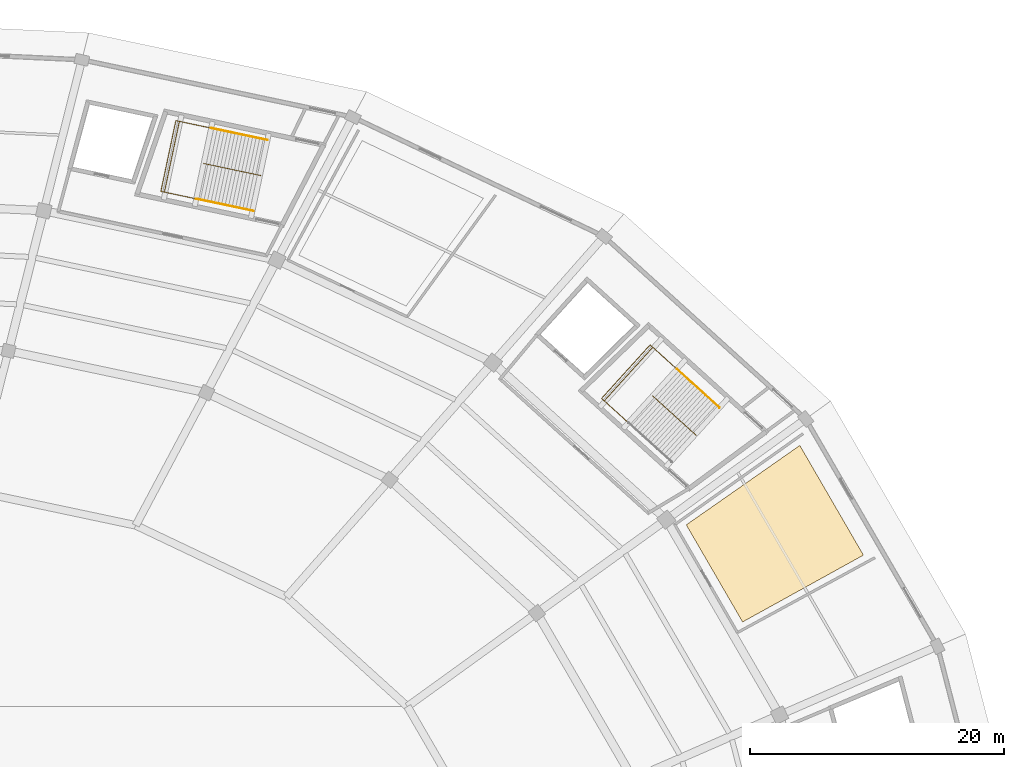
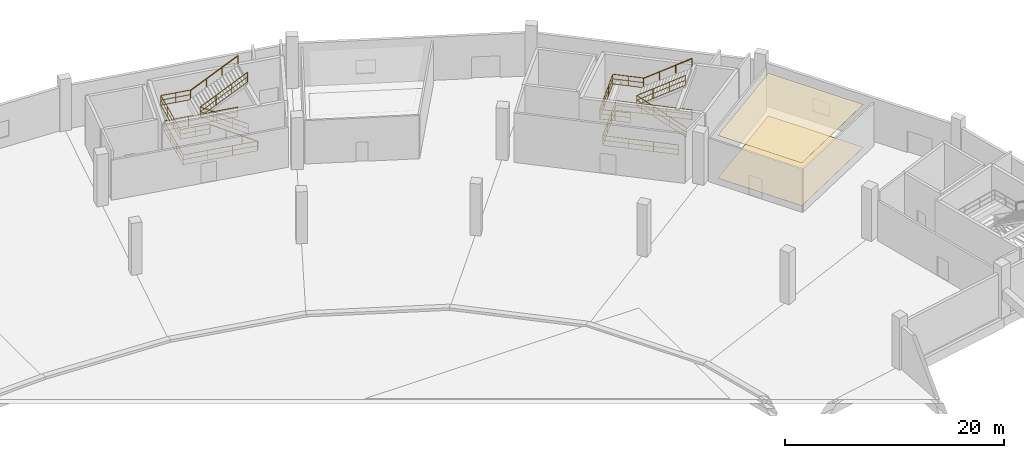
# One storey, part 48 of 48: 9 railings, 2 coverings.
"""IFC4 building model written with IfcOpenShell, lengths in metres."""

from ifc_helpers import new_model, si_unit, direction, frame, origin, origin_2d, place, context, subcontext, project, spatial, polyline, rectangle, outline, extrude, material, layer, layer_set, type_object, element, save


model = new_model("IFC4")

# Units and contexts
model_context = context("Model", 3, precision=1e-05, world=origin(), true_north=direction((0.0, 1.0)))
body_context = subcontext(model_context, "Body", "Model", "MODEL_VIEW")
ifc_project = project(units=[si_unit("LENGTHUNIT", "METRE"), si_unit("AREAUNIT", "SQUARE_METRE"), si_unit("VOLUMEUNIT", "CUBIC_METRE"), si_unit("PLANEANGLEUNIT", "RADIAN"), si_unit("MASSUNIT", "GRAM", prefix="KILO")], contexts=[model_context])

# Site, building, storey
site_placement = place(None, origin())
site = spatial("IfcSite", under=ifc_project, at=site_placement, CompositionType="ELEMENT")
building_placement = place(site_placement, origin())
building = spatial("IfcBuilding", under=site, at=building_placement, Name="Kazemori Nagisa Stadium", CompositionType="ELEMENT")
storey_placement = place(building_placement, origin())
storey = spatial("IfcBuildingStorey", under=building, at=storey_placement, Name="L00", CompositionType="ELEMENT", Elevation=0.0)

# Coverings
ifc_material_1 = material(Name="Mineral-fibre acoustic board", Category="gypsum")
ifc_layer_1 = layer(ifc_material_1, 0.02001953125, Name="Mineral-fibre acoustic board", Category="gypsum")
ifc_layer_set_1 = layer_set([ifc_layer_1], Name="Mineral-fibre acoustic board")
covering_type_1 = type_object("IfcCoveringType", Name="Cov_CEIL", PredefinedType="CEILING", material=ifc_layer_set_1)
covering_1_placement = place(storey_placement, frame((0.0, 0.0, 4.77001953125)))
element("IfcCovering", 1, at=covering_1_placement, inside=storey, type_object=covering_type_1, Name="Acoustic ceiling L00-B03", PredefinedType="CEILING", context=body_context, shape_type="SweptSolid", body=[
    extrude(outline(polyline([(196.521484375, 142.664306640625), (192.08203125, 150.320556640625), (201.034423828125, 156.582275390625), (206.048828125, 147.93408203125), (196.521484375, 142.664306640625)])), origin(), (0.0, 0.0, 1.0), 0.02001953125),
])
ifc_material_2 = material(Name="Porcelain stoneware tile", Category="masonry")
ifc_layer_2 = layer(ifc_material_2, 0.02490234375, Name="Porcelain stoneware tile", Category="masonry")
ifc_layer_set_2 = layer_set([ifc_layer_2], Name="Porcelain stoneware tile")
covering_type_2 = type_object("IfcCoveringType", Name="Cov_FLOOR", PredefinedType="FLOORING", material=ifc_layer_set_2)
covering_2_placement = place(storey_placement, origin())
element("IfcCovering", 2, at=covering_2_placement, inside=storey, type_object=covering_type_2, Name="Porcelain floor finish L00-B03", PredefinedType="FLOORING", context=body_context, shape_type="SweptSolid", body=[
    extrude(outline(polyline([(196.521484375, 142.664306640625), (192.08203125, 150.320556640625), (201.034423828125, 156.582275390625), (206.048828125, 147.93408203125), (196.521484375, 142.664306640625)])), origin(), (0.0, 0.0, 1.0), 0.02490234375),
])

# Railings
ifc_material_3 = material(Name="Galvanised powder-coated steel", Category="steel")
railing_type_1 = type_object("IfcRailingType", Name="Rail_GUARD", PredefinedType="GUARDRAIL", material=ifc_material_3)
railing_1_placement = place(storey_placement, frame((190.87646484375, 155.334228515625, 0.0)))
element("IfcRailing", 3, at=railing_1_placement, inside=storey, type_object=railing_type_1, Name="Stair well perimeter guard ST01-L00", PredefinedType="GUARDRAIL", context=body_context, shape_type="SweptSolid", body=[
    extrude(rectangle(XDim=0.050048828125, YDim=0.050048828125, at=origin_2d()), frame((0.0, 0.0, 1.09521484375), z_axis=(-0.741349073354, 0.671119625281, 0.0), x_axis=(-0.671119625281, -0.741349073354, 0.0)), (0.0, 0.0, 1.0), 7.09521484375),
    extrude(rectangle(XDim=0.03759765625, YDim=0.03759765625, at=origin_2d()), frame((0.0, 0.0, 0.58251953125), z_axis=(-0.741349073354, 0.671119625281, 0.0), x_axis=(-0.671119625281, -0.741349073354, 0.0)), (0.0, 0.0, 1.0), 7.09521484375),
    extrude(rectangle(XDim=0.03759765625, YDim=0.03759765625, at=origin_2d()), frame((0.0, 0.0, 0.02490234375), z_axis=(-0.741349073354, 0.671119625281, 0.0), x_axis=(-0.671119625281, -0.741349073354, 0.0)), (0.0, 0.0, 1.0), 7.09521484375),
    extrude(rectangle(XDim=0.050048828125, YDim=0.050048828125, at=origin_2d()), frame((-5.260009765625, 4.76171875, 1.09521484375), z_axis=(0.67113423669, 0.74133584585, 0.0), x_axis=(-0.74133584585, 0.67113423669, 0.0)), (0.0, 0.0, 1.0), 5.699951171875),
    extrude(rectangle(XDim=0.03759765625, YDim=0.03759765625, at=origin_2d()), frame((-5.260009765625, 4.76171875, 0.58251953125), z_axis=(0.67113423669, 0.74133584585, 0.0), x_axis=(-0.74133584585, 0.67113423669, 0.0)), (0.0, 0.0, 1.0), 5.699951171875),
    extrude(rectangle(XDim=0.03759765625, YDim=0.03759765625, at=origin_2d()), frame((-5.260009765625, 4.76171875, 0.02490234375), z_axis=(0.67113423669, 0.74133584585, 0.0), x_axis=(-0.74133584585, 0.67113423669, 0.0)), (0.0, 0.0, 1.0), 5.699951171875),
    extrude(rectangle(XDim=0.050048828125, YDim=0.050048828125, at=origin_2d()), frame((-1.4345703125, 8.9873046875, 1.09521484375), z_axis=(0.741350695223, -0.671117833686, 0.0), x_axis=(0.671117833686, 0.741350695223, 0.0)), (0.0, 0.0, 1.0), 7.0947265625),
    extrude(rectangle(XDim=0.03759765625, YDim=0.03759765625, at=origin_2d()), frame((-1.4345703125, 8.9873046875, 0.58251953125), z_axis=(0.741350695223, -0.671117833686, 0.0), x_axis=(0.671117833686, 0.741350695223, 0.0)), (0.0, 0.0, 1.0), 7.0947265625),
    extrude(rectangle(XDim=0.03759765625, YDim=0.03759765625, at=origin_2d()), frame((-1.4345703125, 8.9873046875, 0.02490234375), z_axis=(0.741350695223, -0.671117833686, 0.0), x_axis=(0.671117833686, 0.741350695223, 0.0)), (0.0, 0.0, 1.0), 7.0947265625),
    extrude(rectangle(XDim=0.044921875, YDim=0.044921875, at=origin_2d()), origin(), (0.0, 0.0, 1.0), 1.070068359375),
    extrude(rectangle(XDim=0.044921875, YDim=0.044921875, at=origin_2d()), frame((-1.75341796875, 1.587158203125, 0.0)), (0.0, 0.0, 1.0), 1.070068359375),
    extrude(rectangle(XDim=0.044921875, YDim=0.044921875, at=origin_2d()), frame((-3.506591796875, 3.174560546875, 0.0)), (0.0, 0.0, 1.0), 1.070068359375),
    extrude(rectangle(XDim=0.044921875, YDim=0.044921875, at=origin_2d()), frame((-5.260009765625, 4.76171875, 0.0)), (0.0, 0.0, 1.0), 1.070068359375),
    extrude(rectangle(XDim=0.044921875, YDim=0.044921875, at=origin_2d()), frame((-3.98486328125, 6.170166015625, 0.0)), (0.0, 0.0, 1.0), 1.070068359375),
    extrude(rectangle(XDim=0.044921875, YDim=0.044921875, at=origin_2d()), frame((-2.709716796875, 7.578857421875, 0.0)), (0.0, 0.0, 1.0), 1.070068359375),
    extrude(rectangle(XDim=0.044921875, YDim=0.044921875, at=origin_2d()), frame((-1.4345703125, 8.9873046875, 0.0)), (0.0, 0.0, 1.0), 1.070068359375),
    extrude(rectangle(XDim=0.044921875, YDim=0.044921875, at=origin_2d()), frame((0.318603515625, 7.400146484375, 0.0)), (0.0, 0.0, 1.0), 1.070068359375),
    extrude(rectangle(XDim=0.044921875, YDim=0.044921875, at=origin_2d()), frame((2.072021484375, 5.81298828125, 0.0)), (0.0, 0.0, 1.0), 1.070068359375),
    extrude(rectangle(XDim=0.044921875, YDim=0.044921875, at=origin_2d()), frame((3.8251953125, 4.225830078125, 0.0)), (0.0, 0.0, 1.0), 1.070068359375),
])
railing_2_placement = place(storey_placement, frame((192.848388671875, 157.393310546875, 0.0)))
element("IfcRailing", 4, at=railing_2_placement, inside=storey, type_object=railing_type_1, Name="Stair central guard ST01-L00", PredefinedType="GUARDRAIL", context=body_context, shape_type="SweptSolid", body=[
    extrude(rectangle(XDim=0.050048828125, YDim=0.050048828125, at=origin_2d()), frame((0.0, 0.0, 1.09521484375), z_axis=(-0.628135950025, 0.568638252351, 0.53112688338), x_axis=(-0.671124068371, -0.741345051142, 0.0)), (0.0, 0.0, 1.0), 5.441162109375),
    extrude(rectangle(XDim=0.03759765625, YDim=0.03759765625, at=origin_2d()), frame((0.0, 0.0, 0.58251953125), z_axis=(-0.628135950025, 0.568638252351, 0.53112688338), x_axis=(-0.671124068371, -0.741345051142, 0.0)), (0.0, 0.0, 1.0), 5.441162109375),
    extrude(rectangle(XDim=0.03759765625, YDim=0.03759765625, at=origin_2d()), frame((0.0, 0.0, 0.02490234375), z_axis=(-0.628135950025, 0.568638252351, 0.53112688338), x_axis=(-0.671124068371, -0.741345051142, 0.0)), (0.0, 0.0, 1.0), 5.441162109375),
    extrude(rectangle(XDim=0.050048828125, YDim=0.050048828125, at=origin_2d()), frame((-3.417724609375, 3.093994140625, 3.98486328125), z_axis=(0.624986777948, -0.565786591, 0.5378448297), x_axis=(0.671123558466, 0.741345512748, 0.0)), (0.0, 0.0, 1.0), 5.37353515625),
    extrude(rectangle(XDim=0.03759765625, YDim=0.03759765625, at=origin_2d()), frame((-3.417724609375, 3.093994140625, 3.472412109375), z_axis=(0.624986777948, -0.565786591, 0.5378448297), x_axis=(0.671123558466, 0.741345512748, 0.0)), (0.0, 0.0, 1.0), 5.37353515625),
    extrude(rectangle(XDim=0.03759765625, YDim=0.03759765625, at=origin_2d()), frame((-3.417724609375, 3.093994140625, 2.9150390625), z_axis=(0.624986777948, -0.565786591, 0.5378448297), x_axis=(0.671123558466, 0.741345512748, 0.0)), (0.0, 0.0, 1.0), 5.37353515625),
    extrude(rectangle(XDim=0.044921875, YDim=0.044921875, at=origin_2d()), origin(), (0.0, 0.0, 1.0), 1.070068359375),
    extrude(rectangle(XDim=0.044921875, YDim=0.044921875, at=origin_2d()), frame((-1.13916015625, 1.03125, 0.96337890625)), (0.0, 0.0, 1.0), 1.070068359375),
    extrude(rectangle(XDim=0.044921875, YDim=0.044921875, at=origin_2d()), frame((-2.278564453125, 2.062744140625, 1.926513671875)), (0.0, 0.0, 1.0), 1.070068359375),
    extrude(rectangle(XDim=0.044921875, YDim=0.044921875, at=origin_2d()), frame((-3.417724609375, 3.093994140625, 2.889892578125)), (0.0, 0.0, 1.0), 1.070068359375),
    extrude(rectangle(XDim=0.044921875, YDim=0.044921875, at=origin_2d()), frame((-2.29833984375, 2.08056640625, 3.853271484375)), (0.0, 0.0, 1.0), 1.070068359375),
    extrude(rectangle(XDim=0.044921875, YDim=0.044921875, at=origin_2d()), frame((-1.1787109375, 1.067138671875, 4.816650390625)), (0.0, 0.0, 1.0), 1.070068359375),
    extrude(rectangle(XDim=0.044921875, YDim=0.044921875, at=origin_2d()), frame((-0.059326171875, 0.0537109375, 5.780029296875)), (0.0, 0.0, 1.0), 1.070068359375),
])
railing_3_placement = place(storey_placement, frame((187.51806640625, 158.37451171875, 2.889892578125)))
element("IfcRailing", 5, at=railing_3_placement, inside=storey, type_object=railing_type_1, Name="Stair landing guard ST01-L00", PredefinedType="GUARDRAIL", context=body_context, shape_type="SweptSolid", body=[
    extrude(rectangle(XDim=0.050048828125, YDim=0.050048828125, at=origin_2d()), frame((0.0, 0.0, 1.09521484375), z_axis=(-0.741357156534, 0.671110696127, 0.0), x_axis=(-0.671110696127, -0.741357156534, 0.0)), (0.0, 0.0, 1.0), 2.849853515625),
    extrude(rectangle(XDim=0.03759765625, YDim=0.03759765625, at=origin_2d()), frame((0.0, 0.0, 0.58251953125), z_axis=(-0.741357156534, 0.671110696127, 0.0), x_axis=(-0.671110696127, -0.741357156534, 0.0)), (0.0, 0.0, 1.0), 2.849853515625),
    extrude(rectangle(XDim=0.03759765625, YDim=0.03759765625, at=origin_2d()), frame((0.0, 0.0, 0.02490234375), z_axis=(-0.741357156534, 0.671110696127, 0.0), x_axis=(-0.671110696127, -0.741357156534, 0.0)), (0.0, 0.0, 1.0), 2.849853515625),
    extrude(rectangle(XDim=0.050048828125, YDim=0.050048828125, at=origin_2d()), frame((-2.11279296875, 1.91259765625, 1.09521484375), z_axis=(0.67113423669, 0.74133584585, 0.0), x_axis=(-0.74133584585, 0.67113423669, 0.0)), (0.0, 0.0, 1.0), 5.699951171875),
    extrude(rectangle(XDim=0.03759765625, YDim=0.03759765625, at=origin_2d()), frame((-2.11279296875, 1.91259765625, 0.58251953125), z_axis=(0.67113423669, 0.74133584585, 0.0), x_axis=(-0.74133584585, 0.67113423669, 0.0)), (0.0, 0.0, 1.0), 5.699951171875),
    extrude(rectangle(XDim=0.03759765625, YDim=0.03759765625, at=origin_2d()), frame((-2.11279296875, 1.91259765625, 0.02490234375), z_axis=(0.67113423669, 0.74133584585, 0.0), x_axis=(-0.74133584585, 0.67113423669, 0.0)), (0.0, 0.0, 1.0), 5.699951171875),
    extrude(rectangle(XDim=0.050048828125, YDim=0.050048828125, at=origin_2d()), frame((1.712646484375, 6.13818359375, 1.09521484375), z_axis=(0.741357156534, -0.671110696127, 0.0), x_axis=(0.671110696127, 0.741357156534, 0.0)), (0.0, 0.0, 1.0), 2.849853515625),
    extrude(rectangle(XDim=0.03759765625, YDim=0.03759765625, at=origin_2d()), frame((1.712646484375, 6.13818359375, 0.58251953125), z_axis=(0.741357156534, -0.671110696127, 0.0), x_axis=(0.671110696127, 0.741357156534, 0.0)), (0.0, 0.0, 1.0), 2.849853515625),
    extrude(rectangle(XDim=0.03759765625, YDim=0.03759765625, at=origin_2d()), frame((1.712646484375, 6.13818359375, 0.02490234375), z_axis=(0.741357156534, -0.671110696127, 0.0), x_axis=(0.671110696127, 0.741357156534, 0.0)), (0.0, 0.0, 1.0), 2.849853515625),
    extrude(rectangle(XDim=0.044921875, YDim=0.044921875, at=origin_2d()), origin(), (0.0, 0.0, 1.0), 1.070068359375),
    extrude(rectangle(XDim=0.044921875, YDim=0.044921875, at=origin_2d()), frame((-1.056396484375, 0.956298828125, 0.0)), (0.0, 0.0, 1.0), 1.070068359375),
    extrude(rectangle(XDim=0.044921875, YDim=0.044921875, at=origin_2d()), frame((-2.11279296875, 1.91259765625, 0.0)), (0.0, 0.0, 1.0), 1.070068359375),
    extrude(rectangle(XDim=0.044921875, YDim=0.044921875, at=origin_2d()), frame((-0.837646484375, 3.321044921875, 0.0)), (0.0, 0.0, 1.0), 1.070068359375),
    extrude(rectangle(XDim=0.044921875, YDim=0.044921875, at=origin_2d()), frame((0.4375, 4.729736328125, 0.0)), (0.0, 0.0, 1.0), 1.070068359375),
    extrude(rectangle(XDim=0.044921875, YDim=0.044921875, at=origin_2d()), frame((1.712646484375, 6.13818359375, 0.0)), (0.0, 0.0, 1.0), 1.070068359375),
    extrude(rectangle(XDim=0.044921875, YDim=0.044921875, at=origin_2d()), frame((2.76904296875, 5.181884765625, 0.0)), (0.0, 0.0, 1.0), 1.070068359375),
    extrude(rectangle(XDim=0.044921875, YDim=0.044921875, at=origin_2d()), frame((3.825439453125, 4.2255859375, 0.0)), (0.0, 0.0, 1.0), 1.070068359375),
])
railing_4_placement = place(storey_placement, frame((157.87890625, 175.08642578125, 0.0)))
element("IfcRailing", 6, at=railing_4_placement, inside=storey, type_object=railing_type_1, Name="Stair well perimeter guard ST11-L00", PredefinedType="GUARDRAIL", context=body_context, shape_type="SweptSolid", body=[
    extrude(rectangle(XDim=0.050048828125, YDim=0.050048828125, at=origin_2d()), frame((0.0, 0.0, 1.09521484375), z_axis=(-0.978345951351, 0.206976325879, 0.0), x_axis=(-0.206976325879, -0.978345951351, 0.0)), (0.0, 0.0, 1.0), 7.094970703125),
    extrude(rectangle(XDim=0.03759765625, YDim=0.03759765625, at=origin_2d()), frame((0.0, 0.0, 0.58251953125), z_axis=(-0.978345951351, 0.206976325879, 0.0), x_axis=(-0.206976325879, -0.978345951351, 0.0)), (0.0, 0.0, 1.0), 7.094970703125),
    extrude(rectangle(XDim=0.03759765625, YDim=0.03759765625, at=origin_2d()), frame((0.0, 0.0, 0.02490234375), z_axis=(-0.978345951351, 0.206976325879, 0.0), x_axis=(-0.206976325879, -0.978345951351, 0.0)), (0.0, 0.0, 1.0), 7.094970703125),
    extrude(rectangle(XDim=0.050048828125, YDim=0.050048828125, at=origin_2d()), frame((-6.94140625, 1.468505859375, 1.09521484375), z_axis=(0.206960167837, 0.978349369565, 0.0), x_axis=(-0.978349369565, 0.206960167837, 0.0)), (0.0, 0.0, 1.0), 5.699951171875),
    extrude(rectangle(XDim=0.03759765625, YDim=0.03759765625, at=origin_2d()), frame((-6.94140625, 1.468505859375, 0.58251953125), z_axis=(0.206960167837, 0.978349369565, 0.0), x_axis=(-0.978349369565, 0.206960167837, 0.0)), (0.0, 0.0, 1.0), 5.699951171875),
    extrude(rectangle(XDim=0.03759765625, YDim=0.03759765625, at=origin_2d()), frame((-6.94140625, 1.468505859375, 0.02490234375), z_axis=(0.206960167837, 0.978349369565, 0.0), x_axis=(-0.978349369565, 0.206960167837, 0.0)), (0.0, 0.0, 1.0), 5.699951171875),
    extrude(rectangle(XDim=0.050048828125, YDim=0.050048828125, at=origin_2d()), frame((-5.76171875, 7.045166015625, 1.09521484375), z_axis=(0.978345951351, -0.206976325879, 0.0), x_axis=(0.206976325879, 0.978345951351, 0.0)), (0.0, 0.0, 1.0), 7.094970703125),
    extrude(rectangle(XDim=0.03759765625, YDim=0.03759765625, at=origin_2d()), frame((-5.76171875, 7.045166015625, 0.58251953125), z_axis=(0.978345951351, -0.206976325879, 0.0), x_axis=(0.206976325879, 0.978345951351, 0.0)), (0.0, 0.0, 1.0), 7.094970703125),
    extrude(rectangle(XDim=0.03759765625, YDim=0.03759765625, at=origin_2d()), frame((-5.76171875, 7.045166015625, 0.02490234375), z_axis=(0.978345951351, -0.206976325879, 0.0), x_axis=(0.206976325879, 0.978345951351, 0.0)), (0.0, 0.0, 1.0), 7.094970703125),
    extrude(rectangle(XDim=0.044921875, YDim=0.044921875, at=origin_2d()), origin(), (0.0, 0.0, 1.0), 1.070068359375),
    extrude(rectangle(XDim=0.044921875, YDim=0.044921875, at=origin_2d()), frame((-2.313720703125, 0.489501953125, 0.0)), (0.0, 0.0, 1.0), 1.070068359375),
    extrude(rectangle(XDim=0.044921875, YDim=0.044921875, at=origin_2d()), frame((-4.627685546875, 0.97900390625, 0.0)), (0.0, 0.0, 1.0), 1.070068359375),
    extrude(rectangle(XDim=0.044921875, YDim=0.044921875, at=origin_2d()), frame((-6.94140625, 1.468505859375, 0.0)), (0.0, 0.0, 1.0), 1.070068359375),
    extrude(rectangle(XDim=0.044921875, YDim=0.044921875, at=origin_2d()), frame((-6.548095703125, 3.327392578125, 0.0)), (0.0, 0.0, 1.0), 1.070068359375),
    extrude(rectangle(XDim=0.044921875, YDim=0.044921875, at=origin_2d()), frame((-6.155029296875, 5.186279296875, 0.0)), (0.0, 0.0, 1.0), 1.070068359375),
    extrude(rectangle(XDim=0.044921875, YDim=0.044921875, at=origin_2d()), frame((-5.76171875, 7.045166015625, 0.0)), (0.0, 0.0, 1.0), 1.070068359375),
    extrude(rectangle(XDim=0.044921875, YDim=0.044921875, at=origin_2d()), frame((-3.447998046875, 6.5556640625, 0.0)), (0.0, 0.0, 1.0), 1.070068359375),
    extrude(rectangle(XDim=0.044921875, YDim=0.044921875, at=origin_2d()), frame((-1.134033203125, 6.066162109375, 0.0)), (0.0, 0.0, 1.0), 1.070068359375),
    extrude(rectangle(XDim=0.044921875, YDim=0.044921875, at=origin_2d()), frame((1.1796875, 5.57666015625, 0.0)), (0.0, 0.0, 1.0), 1.070068359375),
])
railing_5_placement = place(storey_placement, frame((158.546875, 177.858154296875, 0.0)))
element("IfcRailing", 7, at=railing_5_placement, inside=storey, type_object=railing_type_1, Name="Stair central guard ST11-L00", PredefinedType="GUARDRAIL", context=body_context, shape_type="SweptSolid", body=[
    extrude(rectangle(XDim=0.050048828125, YDim=0.050048828125, at=origin_2d()), frame((0.0, 0.0, 1.09521484375), z_axis=(-0.828922076154, 0.175404990834, 0.531150902151), x_axis=(-0.207021955544, -0.978336296946, 0.0)), (0.0, 0.0, 1.0), 5.44091796875),
    extrude(rectangle(XDim=0.03759765625, YDim=0.03759765625, at=origin_2d()), frame((0.0, 0.0, 0.58251953125), z_axis=(-0.828922076154, 0.175404990834, 0.531150902151), x_axis=(-0.207021955544, -0.978336296946, 0.0)), (0.0, 0.0, 1.0), 5.44091796875),
    extrude(rectangle(XDim=0.03759765625, YDim=0.03759765625, at=origin_2d()), frame((0.0, 0.0, 0.02490234375), z_axis=(-0.828922076154, 0.175404990834, 0.531150902151), x_axis=(-0.207021955544, -0.978336296946, 0.0)), (0.0, 0.0, 1.0), 5.44091796875),
    extrude(rectangle(XDim=0.050048828125, YDim=0.050048828125, at=origin_2d()), frame((-4.510009765625, 0.954345703125, 3.98486328125), z_axis=(0.824776085043, -0.17451467761, 0.537855962912), x_axis=(0.207007200397, 0.97833941911, 0.0)), (0.0, 0.0, 1.0), 5.37353515625),
    extrude(rectangle(XDim=0.03759765625, YDim=0.03759765625, at=origin_2d()), frame((-4.510009765625, 0.954345703125, 3.472412109375), z_axis=(0.824776085043, -0.17451467761, 0.537855962912), x_axis=(0.207007200397, 0.97833941911, 0.0)), (0.0, 0.0, 1.0), 5.37353515625),
    extrude(rectangle(XDim=0.03759765625, YDim=0.03759765625, at=origin_2d()), frame((-4.510009765625, 0.954345703125, 2.9150390625), z_axis=(0.824776085043, -0.17451467761, 0.537855962912), x_axis=(0.207007200397, 0.97833941911, 0.0)), (0.0, 0.0, 1.0), 5.37353515625),
    extrude(rectangle(XDim=0.044921875, YDim=0.044921875, at=origin_2d()), origin(), (0.0, 0.0, 1.0), 1.070068359375),
    extrude(rectangle(XDim=0.044921875, YDim=0.044921875, at=origin_2d()), frame((-1.50341796875, 0.318115234375, 0.96337890625)), (0.0, 0.0, 1.0), 1.070068359375),
    extrude(rectangle(XDim=0.044921875, YDim=0.044921875, at=origin_2d()), frame((-3.006591796875, 0.63623046875, 1.926513671875)), (0.0, 0.0, 1.0), 1.070068359375),
    extrude(rectangle(XDim=0.044921875, YDim=0.044921875, at=origin_2d()), frame((-4.510009765625, 0.954345703125, 2.889892578125)), (0.0, 0.0, 1.0), 1.070068359375),
    extrude(rectangle(XDim=0.044921875, YDim=0.044921875, at=origin_2d()), frame((-3.03271484375, 0.641845703125, 3.853271484375)), (0.0, 0.0, 1.0), 1.070068359375),
    extrude(rectangle(XDim=0.044921875, YDim=0.044921875, at=origin_2d()), frame((-1.555419921875, 0.3291015625, 4.816650390625)), (0.0, 0.0, 1.0), 1.070068359375),
    extrude(rectangle(XDim=0.044921875, YDim=0.044921875, at=origin_2d()), frame((-0.078125, 0.0166015625, 5.780029296875)), (0.0, 0.0, 1.0), 1.070068359375),
])
railing_6_placement = place(storey_placement, frame((153.447021484375, 176.024169921875, 2.889892578125)))
element("IfcRailing", 8, at=railing_6_placement, inside=storey, type_object=railing_type_1, Name="Stair landing guard ST11-L00", PredefinedType="GUARDRAIL", context=body_context, shape_type="SweptSolid", body=[
    extrude(rectangle(XDim=0.050048828125, YDim=0.050048828125, at=origin_2d()), frame((0.0, 0.0, 1.09521484375), z_axis=(-0.978349369565, 0.206960167837, 0.0), x_axis=(-0.206960167837, -0.978349369565, 0.0)), (0.0, 0.0, 1.0), 2.85009765625),
    extrude(rectangle(XDim=0.03759765625, YDim=0.03759765625, at=origin_2d()), frame((0.0, 0.0, 0.58251953125), z_axis=(-0.978349369565, 0.206960167837, 0.0), x_axis=(-0.206960167837, -0.978349369565, 0.0)), (0.0, 0.0, 1.0), 2.85009765625),
    extrude(rectangle(XDim=0.03759765625, YDim=0.03759765625, at=origin_2d()), frame((0.0, 0.0, 0.02490234375), z_axis=(-0.978349369565, 0.206960167837, 0.0), x_axis=(-0.206960167837, -0.978349369565, 0.0)), (0.0, 0.0, 1.0), 2.85009765625),
    extrude(rectangle(XDim=0.050048828125, YDim=0.050048828125, at=origin_2d()), frame((-2.788330078125, 0.58984375, 1.09521484375), z_axis=(0.206960167837, 0.978349369565, 0.0), x_axis=(-0.978349369565, 0.206960167837, 0.0)), (0.0, 0.0, 1.0), 5.699951171875),
    extrude(rectangle(XDim=0.03759765625, YDim=0.03759765625, at=origin_2d()), frame((-2.788330078125, 0.58984375, 0.58251953125), z_axis=(0.206960167837, 0.978349369565, 0.0), x_axis=(-0.978349369565, 0.206960167837, 0.0)), (0.0, 0.0, 1.0), 5.699951171875),
    extrude(rectangle(XDim=0.03759765625, YDim=0.03759765625, at=origin_2d()), frame((-2.788330078125, 0.58984375, 0.02490234375), z_axis=(0.206960167837, 0.978349369565, 0.0), x_axis=(-0.978349369565, 0.206960167837, 0.0)), (0.0, 0.0, 1.0), 5.699951171875),
    extrude(rectangle(XDim=0.050048828125, YDim=0.050048828125, at=origin_2d()), frame((-1.608642578125, 6.16650390625, 1.09521484375), z_axis=(0.978332021586, -0.207042158845, 0.0), x_axis=(0.207042158845, 0.978332021586, 0.0)), (0.0, 0.0, 1.0), 2.85009765625),
    extrude(rectangle(XDim=0.03759765625, YDim=0.03759765625, at=origin_2d()), frame((-1.608642578125, 6.16650390625, 0.58251953125), z_axis=(0.978332021586, -0.207042158845, 0.0), x_axis=(0.207042158845, 0.978332021586, 0.0)), (0.0, 0.0, 1.0), 2.85009765625),
    extrude(rectangle(XDim=0.03759765625, YDim=0.03759765625, at=origin_2d()), frame((-1.608642578125, 6.16650390625, 0.02490234375), z_axis=(0.978332021586, -0.207042158845, 0.0), x_axis=(0.207042158845, 0.978332021586, 0.0)), (0.0, 0.0, 1.0), 2.85009765625),
    extrude(rectangle(XDim=0.044921875, YDim=0.044921875, at=origin_2d()), origin(), (0.0, 0.0, 1.0), 1.070068359375),
    extrude(rectangle(XDim=0.044921875, YDim=0.044921875, at=origin_2d()), frame((-1.39404296875, 0.294921875, 0.0)), (0.0, 0.0, 1.0), 1.070068359375),
    extrude(rectangle(XDim=0.044921875, YDim=0.044921875, at=origin_2d()), frame((-2.788330078125, 0.58984375, 0.0)), (0.0, 0.0, 1.0), 1.070068359375),
    extrude(rectangle(XDim=0.044921875, YDim=0.044921875, at=origin_2d()), frame((-2.39501953125, 2.44873046875, 0.0)), (0.0, 0.0, 1.0), 1.070068359375),
    extrude(rectangle(XDim=0.044921875, YDim=0.044921875, at=origin_2d()), frame((-2.001953125, 4.3076171875, 0.0)), (0.0, 0.0, 1.0), 1.070068359375),
    extrude(rectangle(XDim=0.044921875, YDim=0.044921875, at=origin_2d()), frame((-1.608642578125, 6.16650390625, 0.0)), (0.0, 0.0, 1.0), 1.070068359375),
    extrude(rectangle(XDim=0.044921875, YDim=0.044921875, at=origin_2d()), frame((-0.21435546875, 5.87158203125, 0.0)), (0.0, 0.0, 1.0), 1.070068359375),
    extrude(rectangle(XDim=0.044921875, YDim=0.044921875, at=origin_2d()), frame((1.1796875, 5.576416015625, 0.0)), (0.0, 0.0, 1.0), 1.070068359375),
])
ifc_material_4 = material(Name="Stainless steel SUS304", Category="steel")
railing_type_2 = type_object("IfcRailingType", Name="Rail_HAND", PredefinedType="HANDRAIL", material=ifc_material_4)
railing_7_placement = place(storey_placement, frame((191.343505859375, 162.60009765625, 3.06005859375)))
element("IfcRailing", 9, at=railing_7_placement, inside=storey, type_object=railing_type_2, Name="Stair handrail ST01-L00-F2", PredefinedType="HANDRAIL", context=body_context, shape_type="SweptSolid", body=[
    extrude(rectangle(XDim=0.050048828125, YDim=0.050048828125, at=origin_2d()), frame((0.0, 0.0, 0.875), z_axis=(0.624990429444, -0.565785592689, 0.537841636738), x_axis=(0.671120752671, 0.741348052762, 0.0)), (0.0, 0.0, 1.0), 5.373046875),
    extrude(rectangle(XDim=0.044921875, YDim=0.044921875, at=origin_2d()), origin(), (0.0, 0.0, 1.0), 0.849853515625),
    extrude(rectangle(XDim=0.044921875, YDim=0.044921875, at=origin_2d()), frame((1.119384765625, -1.013427734375, 0.96337890625)), (0.0, 0.0, 1.0), 0.849853515625),
    extrude(rectangle(XDim=0.044921875, YDim=0.044921875, at=origin_2d()), frame((2.23876953125, -2.026611328125, 1.926513671875)), (0.0, 0.0, 1.0), 0.849853515625),
    extrude(rectangle(XDim=0.044921875, YDim=0.044921875, at=origin_2d()), frame((3.358154296875, -3.0400390625, 2.889892578125)), (0.0, 0.0, 1.0), 0.849853515625),
])
railing_8_placement = place(storey_placement, frame((157.95703125, 175.070068359375, 0.169921875)))
element("IfcRailing", 10, at=railing_8_placement, inside=storey, type_object=railing_type_2, Name="Stair handrail ST11-L00-F1", PredefinedType="HANDRAIL", context=body_context, shape_type="SweptSolid", body=[
    extrude(rectangle(XDim=0.050048828125, YDim=0.050048828125, at=origin_2d()), frame((0.0, 0.0, 0.875), z_axis=(-0.828908842667, 0.175357319176, 0.531187293861), x_axis=(-0.206971264153, -0.978347022183, 0.0)), (0.0, 0.0, 1.0), 5.44091796875),
    extrude(rectangle(XDim=0.044921875, YDim=0.044921875, at=origin_2d()), origin(), (0.0, 0.0, 1.0), 0.849853515625),
    extrude(rectangle(XDim=0.044921875, YDim=0.044921875, at=origin_2d()), frame((-1.50341796875, 0.318115234375, 0.96337890625)), (0.0, 0.0, 1.0), 0.849853515625),
    extrude(rectangle(XDim=0.044921875, YDim=0.044921875, at=origin_2d()), frame((-3.006591796875, 0.635986328125, 1.9267578125)), (0.0, 0.0, 1.0), 0.849853515625),
    extrude(rectangle(XDim=0.044921875, YDim=0.044921875, at=origin_2d()), frame((-4.510009765625, 0.9541015625, 2.89013671875)), (0.0, 0.0, 1.0), 0.849853515625),
])
railing_9_placement = place(storey_placement, frame((154.626708984375, 181.6005859375, 3.06005859375)))
element("IfcRailing", 11, at=railing_9_placement, inside=storey, type_object=railing_type_2, Name="Stair handrail ST11-L00-F2", PredefinedType="HANDRAIL", context=body_context, shape_type="SweptSolid", body=[
    extrude(rectangle(XDim=0.050048828125, YDim=0.050048828125, at=origin_2d()), frame((0.0, 0.0, 0.875), z_axis=(0.824802779624, -0.174474889757, 0.537827934909), x_axis=(0.206955614912, 0.978350332681, 0.0)), (0.0, 0.0, 1.0), 5.373291015625),
    extrude(rectangle(XDim=0.044921875, YDim=0.044921875, at=origin_2d()), origin(), (0.0, 0.0, 1.0), 0.849853515625),
    extrude(rectangle(XDim=0.044921875, YDim=0.044921875, at=origin_2d()), frame((1.477294921875, -0.3125, 0.96337890625)), (0.0, 0.0, 1.0), 0.849853515625),
    extrude(rectangle(XDim=0.044921875, YDim=0.044921875, at=origin_2d()), frame((2.95458984375, -0.625, 1.926513671875)), (0.0, 0.0, 1.0), 0.849853515625),
    extrude(rectangle(XDim=0.044921875, YDim=0.044921875, at=origin_2d()), frame((4.431884765625, -0.9375, 2.889892578125)), (0.0, 0.0, 1.0), 0.849853515625),
])

save(model, "model.ifc")
